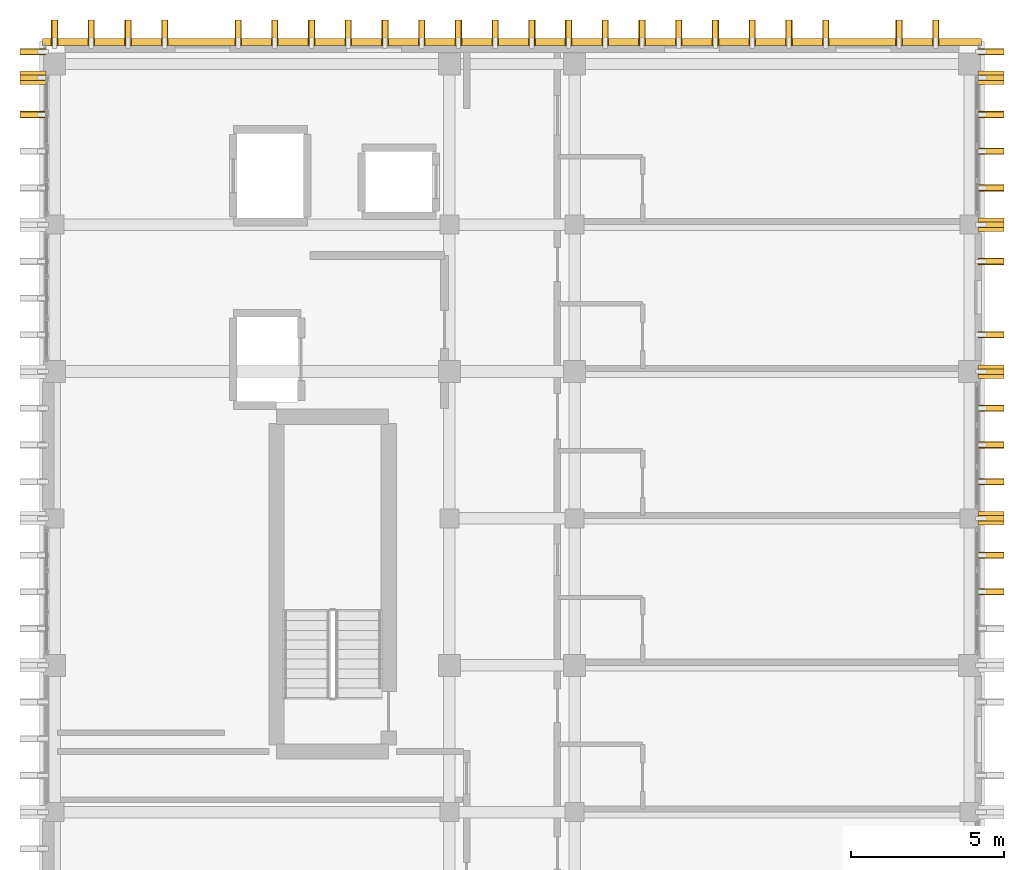
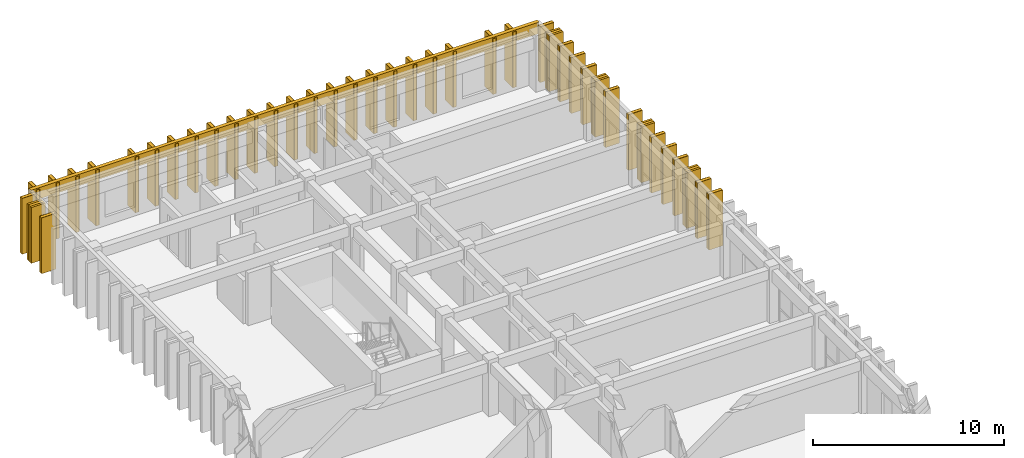
# One storey, part 59 of 59: 42 coverings, 41 shading devices.
"""IFC4 building model written with IfcOpenShell, lengths in metres."""

from ifc_helpers import new_model, si_unit, direction, frame, origin, origin_2d, place, context, subcontext, project, spatial, rectangle, extrude, material, layer, layer_set, type_object, element, save


model = new_model("IFC4")

# Units and contexts
model_context = context("Model", 3, precision=1e-05, world=origin(), true_north=direction((0.0, 1.0)))
body_context = subcontext(model_context, "Body", "Model", "MODEL_VIEW")
ifc_project = project(units=[si_unit("LENGTHUNIT", "METRE"), si_unit("AREAUNIT", "SQUARE_METRE"), si_unit("VOLUMEUNIT", "CUBIC_METRE"), si_unit("PLANEANGLEUNIT", "RADIAN"), si_unit("MASSUNIT", "GRAM", prefix="KILO")], contexts=[model_context])

# Site, building, storey
site_placement = place(None, origin())
site = spatial("IfcSite", under=ifc_project, at=site_placement, CompositionType="ELEMENT")
building_placement = place(site_placement, origin())
building = spatial("IfcBuilding", under=site, at=building_placement, Name="Nakhvara Creek Congress Hotel", CompositionType="ELEMENT")
storey_placement = place(building_placement, frame((0.0, 0.0, 31.800048828125)))
storey = spatial("IfcBuildingStorey", under=building, at=storey_placement, Name="L07", CompositionType="ELEMENT", Elevation=31.800048828125)

# Coverings
ifc_material_1 = material(Name="Honed pale Omani limestone architectural cladding", Category="masonry")
ifc_layer_1 = layer(ifc_material_1, 0.219970703125)
ifc_layer_set_1 = layer_set([ifc_layer_1], Name="Honed pale Omani limestone architectural cladding")
covering_type_1 = type_object("IfcCoveringType", Name="COV-FIN-850", PredefinedType="CLADDING", material=ifc_layer_set_1)
for number, where, z_axis, x_axis, name in (
    (1, (180.054931640625, 108.0, 0.0), (0.0, 0.0, 1.0), (0.0, 1.0, 0.0), "Pale Limestone Fin Cladding CF01-1899"),
    (2, (180.054931640625, 109.199951171875, 0.0), (0.0, 0.0, 1.0), (0.0, 1.0, 0.0), "Pale Limestone Fin Cladding CF01-1901"),
):
    element("IfcCovering", number, at=place(storey_placement, frame(where, z_axis=z_axis, x_axis=x_axis)), inside=storey, type_object=covering_type_1, Name=name, PredefinedType="CLADDING", context=body_context, shape_type="SweptSolid", body=[
        extrude(rectangle(XDim=0.219970703125, YDim=0.85009765625, at=origin_2d()), origin(), (0.0, 0.0, 1.0), 3.56005859375),
    ])
covering_1_placement = place(storey_placement, frame((180.054931640625, 110.39990234375, 0.0), z_axis=(0.0, 0.0, 1.0), x_axis=(0.0, 1.0, 0.0)))
element("IfcCovering", 3, at=covering_1_placement, inside=storey, type_object=covering_type_1, Name="Pale Limestone Fin Cladding CF01-1903", PredefinedType="CLADDING", context=body_context, shape_type="SweptSolid", body=[
    extrude(rectangle(XDim=0.43994140625, YDim=0.85009765625, at=origin_2d()), origin(), (0.0, 0.0, 1.0), 3.56005859375),
])
for number, where, z_axis, x_axis, name in (
    (4, (180.054931640625, 111.60009765625, 0.0), (0.0, 0.0, 1.0), (0.0, 1.0, 0.0), "Pale Limestone Fin Cladding CF01-1905"),
    (5, (180.054931640625, 112.800048828125, 0.0), (0.0, 0.0, 1.0), (0.0, 1.0, 0.0), "Pale Limestone Fin Cladding CF01-1907"),
    (6, (180.054931640625, 114.0, 0.0), (0.0, 0.0, 1.0), (0.0, 1.0, 0.0), "Pale Limestone Fin Cladding CF01-1909"),
):
    element("IfcCovering", number, at=place(storey_placement, frame(where, z_axis=z_axis, x_axis=x_axis)), inside=storey, type_object=covering_type_1, Name=name, PredefinedType="CLADDING", context=body_context, shape_type="SweptSolid", body=[
        extrude(rectangle(XDim=0.219970703125, YDim=0.85009765625, at=origin_2d()), origin(), (0.0, 0.0, 1.0), 3.56005859375),
    ])
covering_2_placement = place(storey_placement, frame((180.054931640625, 115.199951171875, 0.0), z_axis=(0.0, 0.0, 1.0), x_axis=(0.0, 1.0, 0.0)))
element("IfcCovering", 7, at=covering_2_placement, inside=storey, type_object=covering_type_1, Name="Pale Limestone Fin Cladding CF01-1911", PredefinedType="CLADDING", context=body_context, shape_type="SweptSolid", body=[
    extrude(rectangle(XDim=0.43994140625, YDim=0.85009765625, at=origin_2d()), origin(), (0.0, 0.0, 1.0), 3.56005859375),
])
for number, where, z_axis, x_axis, name in (
    (8, (180.054931640625, 116.39990234375, 0.0), (0.0, 0.0, 1.0), (0.0, 1.0, 0.0), "Pale Limestone Fin Cladding CF01-1913"),
    (9, (180.054931640625, 118.800048828125, 0.0), (0.0, 0.0, 1.0), (0.0, 1.0, 0.0), "Pale Limestone Fin Cladding CF01-1916"),
):
    element("IfcCovering", number, at=place(storey_placement, frame(where, z_axis=z_axis, x_axis=x_axis)), inside=storey, type_object=covering_type_1, Name=name, PredefinedType="CLADDING", context=body_context, shape_type="SweptSolid", body=[
        extrude(rectangle(XDim=0.219970703125, YDim=0.85009765625, at=origin_2d()), origin(), (0.0, 0.0, 1.0), 3.56005859375),
    ])
covering_3_placement = place(storey_placement, frame((180.054931640625, 120.0, 0.0), z_axis=(0.0, 0.0, 1.0), x_axis=(0.0, 1.0, 0.0)))
element("IfcCovering", 10, at=covering_3_placement, inside=storey, type_object=covering_type_1, Name="Pale Limestone Fin Cladding CF01-1918", PredefinedType="CLADDING", context=body_context, shape_type="SweptSolid", body=[
    extrude(rectangle(XDim=0.43994140625, YDim=0.85009765625, at=origin_2d()), origin(), (0.0, 0.0, 1.0), 3.56005859375),
])
for number, where, z_axis, x_axis, name in (
    (11, (180.054931640625, 121.199951171875, 0.0), (0.0, 0.0, 1.0), (0.0, 1.0, 0.0), "Pale Limestone Fin Cladding CF01-1920"),
    (12, (180.054931640625, 122.39990234375, 0.0), (0.0, 0.0, 1.0), (0.0, 1.0, 0.0), "Pale Limestone Fin Cladding CF01-1922"),
    (13, (180.054931640625, 123.60009765625, 0.0), (0.0, 0.0, 1.0), (0.0, 1.0, 0.0), "Pale Limestone Fin Cladding CF01-1924"),
    (14, (148.7451171875, 123.60009765625, 0.0), (0.0, 0.0, 1.0), (0.0, 1.0, 0.0), "Pale Limestone Fin Cladding CF01-1925"),
):
    element("IfcCovering", number, at=place(storey_placement, frame(where, z_axis=z_axis, x_axis=x_axis)), inside=storey, type_object=covering_type_1, Name=name, PredefinedType="CLADDING", context=body_context, shape_type="SweptSolid", body=[
        extrude(rectangle(XDim=0.219970703125, YDim=0.85009765625, at=origin_2d()), origin(), (0.0, 0.0, 1.0), 3.56005859375),
    ])
for number, where, z_axis, x_axis, name in (
    (15, (180.054931640625, 124.800048828125, 0.0), (0.0, 0.0, 1.0), (0.0, 1.0, 0.0), "Pale Limestone Fin Cladding CF01-1926"),
    (16, (148.7451171875, 124.800048828125, 0.0), (0.0, 0.0, 1.0), (0.0, 1.0, 0.0), "Pale Limestone Fin Cladding CF01-1927"),
):
    element("IfcCovering", number, at=place(storey_placement, frame(where, z_axis=z_axis, x_axis=x_axis)), inside=storey, type_object=covering_type_1, Name=name, PredefinedType="CLADDING", context=body_context, shape_type="SweptSolid", body=[
        extrude(rectangle(XDim=0.43994140625, YDim=0.85009765625, at=origin_2d()), origin(), (0.0, 0.0, 1.0), 3.56005859375),
    ])
for number, where, z_axis, x_axis, name in (
    (17, (180.054931640625, 125.64990234375, 0.0), (0.0, 0.0, 1.0), (0.0, 1.0, 0.0), "Pale Limestone Fin Cladding CF01-1928"),
    (18, (148.7451171875, 125.64990234375, 0.0), (0.0, 0.0, 1.0), (0.0, 1.0, 0.0), "Pale Limestone Fin Cladding CF01-1929"),
    (19, (149.449951171875, 126.264892578125, 0.0), (0.0, 0.0, 1.0), (1.0, 0.0, 0.0), "Pale Limestone Fin Cladding CF01-1930"),
    (20, (150.64990234375, 126.264892578125, 0.0), (0.0, 0.0, 1.0), (1.0, 0.0, 0.0), "Pale Limestone Fin Cladding CF01-1932"),
    (21, (151.85009765625, 126.264892578125, 0.0), (0.0, 0.0, 1.0), (1.0, 0.0, 0.0), "Pale Limestone Fin Cladding CF01-1934"),
    (22, (153.050048828125, 126.264892578125, 0.0), (0.0, 0.0, 1.0), (1.0, 0.0, 0.0), "Pale Limestone Fin Cladding CF01-1936"),
    (23, (155.449951171875, 126.264892578125, 0.0), (0.0, 0.0, 1.0), (1.0, 0.0, 0.0), "Pale Limestone Fin Cladding CF01-1939"),
    (24, (156.64990234375, 126.264892578125, 0.0), (0.0, 0.0, 1.0), (1.0, 0.0, 0.0), "Pale Limestone Fin Cladding CF01-1941"),
    (25, (157.85009765625, 126.264892578125, 0.0), (0.0, 0.0, 1.0), (1.0, 0.0, 0.0), "Pale Limestone Fin Cladding CF01-1943"),
    (26, (159.050048828125, 126.264892578125, 0.0), (0.0, 0.0, 1.0), (1.0, 0.0, 0.0), "Pale Limestone Fin Cladding CF01-1945"),
    (27, (160.25, 126.264892578125, 0.0), (0.0, 0.0, 1.0), (1.0, 0.0, 0.0), "Pale Limestone Fin Cladding CF01-1947"),
    (28, (161.449951171875, 126.264892578125, 0.0), (0.0, 0.0, 1.0), (1.0, 0.0, 0.0), "Pale Limestone Fin Cladding CF01-1949"),
    (29, (162.64990234375, 126.264892578125, 0.0), (0.0, 0.0, 1.0), (1.0, 0.0, 0.0), "Pale Limestone Fin Cladding CF01-1951"),
    (30, (163.85009765625, 126.264892578125, 0.0), (0.0, 0.0, 1.0), (1.0, 0.0, 0.0), "Pale Limestone Fin Cladding CF01-1953"),
    (31, (165.050048828125, 126.264892578125, 0.0), (0.0, 0.0, 1.0), (1.0, 0.0, 0.0), "Pale Limestone Fin Cladding CF01-1954"),
    (32, (166.25, 126.264892578125, 0.0), (0.0, 0.0, 1.0), (1.0, 0.0, 0.0), "Pale Limestone Fin Cladding CF01-1955"),
    (33, (167.449951171875, 126.264892578125, 0.0), (0.0, 0.0, 1.0), (1.0, 0.0, 0.0), "Pale Limestone Fin Cladding CF01-1957"),
    (34, (168.64990234375, 126.264892578125, 0.0), (0.0, 0.0, 1.0), (1.0, 0.0, 0.0), "Pale Limestone Fin Cladding CF01-1959"),
    (35, (169.85009765625, 126.264892578125, 0.0), (0.0, 0.0, 1.0), (1.0, 0.0, 0.0), "Pale Limestone Fin Cladding CF01-1960"),
    (36, (171.050048828125, 126.264892578125, 0.0), (0.0, 0.0, 1.0), (1.0, 0.0, 0.0), "Pale Limestone Fin Cladding CF01-1962"),
    (37, (172.25, 126.264892578125, 0.0), (0.0, 0.0, 1.0), (1.0, 0.0, 0.0), "Pale Limestone Fin Cladding CF01-1964"),
    (38, (173.449951171875, 126.264892578125, 0.0), (0.0, 0.0, 1.0), (1.0, 0.0, 0.0), "Pale Limestone Fin Cladding CF01-1966"),
    (39, (174.64990234375, 126.264892578125, 0.0), (0.0, 0.0, 1.0), (1.0, 0.0, 0.0), "Pale Limestone Fin Cladding CF01-1968"),
    (40, (177.050048828125, 126.264892578125, 0.0), (0.0, 0.0, 1.0), (1.0, 0.0, 0.0), "Pale Limestone Fin Cladding CF01-1971"),
    (41, (178.25, 126.264892578125, 0.0), (0.0, 0.0, 1.0), (1.0, 0.0, 0.0), "Pale Limestone Fin Cladding CF01-1973"),
):
    element("IfcCovering", number, at=place(storey_placement, frame(where, z_axis=z_axis, x_axis=x_axis)), inside=storey, type_object=covering_type_1, Name=name, PredefinedType="CLADDING", context=body_context, shape_type="SweptSolid", body=[
        extrude(rectangle(XDim=0.219970703125, YDim=0.85009765625, at=origin_2d()), origin(), (0.0, 0.0, 1.0), 3.56005859375),
    ])
ifc_layer_2 = layer(ifc_material_1, 0.179931640625)
ifc_layer_set_2 = layer_set([ifc_layer_2], Name="Honed pale Omani limestone architectural cladding")
covering_type_2 = type_object("IfcCoveringType", Name="COV-SPN-180", PredefinedType="CLADDING", material=ifc_layer_set_2)
covering_4_placement = place(storey_placement, frame((164.39990234375, 125.969970703125, 2.909912109375), z_axis=(0.0, 0.0, 1.0), x_axis=(1.0, 0.0, 0.0)))
element("IfcCovering", 42, at=covering_4_placement, inside=storey, type_object=covering_type_2, Name="Pale Limestone Spandrel Band CF02-0071", PredefinedType="CLADDING", context=body_context, shape_type="SweptSolid", body=[
    extrude(rectangle(XDim=30.699951171875, YDim=0.219970703125, at=origin_2d()), origin(), (0.0, 0.0, 1.0), 0.72998046875),
])

# Shading devices
ifc_material_2 = material(Name="Honed pale Omani limestone cladding on stainless steel spine", Category="masonry")
shading_device_type = type_object("IfcShadingDeviceType", Name="SHD-FIN-850X3600", PredefinedType="USERDEFINED", material=ifc_material_2)
for number, where, z_axis, x_axis, name in (
    (43, (180.054931640625, 108.0, 0.0), (0.0, 0.0, 1.0), (0.0, 1.0, 0.0), "Limestone Solar Fin FN01-1764"),
    (44, (180.054931640625, 109.199951171875, 0.0), (0.0, 0.0, 1.0), (0.0, 1.0, 0.0), "Limestone Solar Fin FN01-1766"),
    (45, (180.054931640625, 110.39990234375, 0.0), (0.0, 0.0, 1.0), (0.0, 1.0, 0.0), "Limestone Solar Fin FN01-1768"),
    (46, (180.054931640625, 111.60009765625, 0.0), (0.0, 0.0, 1.0), (0.0, 1.0, 0.0), "Limestone Solar Fin FN01-1770"),
    (47, (180.054931640625, 112.800048828125, 0.0), (0.0, 0.0, 1.0), (0.0, 1.0, 0.0), "Limestone Solar Fin FN01-1772"),
    (48, (180.054931640625, 114.0, 0.0), (0.0, 0.0, 1.0), (0.0, 1.0, 0.0), "Limestone Solar Fin FN01-1774"),
    (49, (180.054931640625, 115.199951171875, 0.0), (0.0, 0.0, 1.0), (0.0, 1.0, 0.0), "Limestone Solar Fin FN01-1776"),
    (50, (180.054931640625, 116.39990234375, 0.0), (0.0, 0.0, 1.0), (0.0, 1.0, 0.0), "Limestone Solar Fin FN01-1778"),
    (51, (180.054931640625, 118.800048828125, 0.0), (0.0, 0.0, 1.0), (0.0, 1.0, 0.0), "Limestone Solar Fin FN01-1781"),
    (52, (180.054931640625, 120.0, 0.0), (0.0, 0.0, 1.0), (0.0, 1.0, 0.0), "Limestone Solar Fin FN01-1783"),
    (53, (180.054931640625, 121.199951171875, 0.0), (0.0, 0.0, 1.0), (0.0, 1.0, 0.0), "Limestone Solar Fin FN01-1785"),
    (54, (180.054931640625, 122.39990234375, 0.0), (0.0, 0.0, 1.0), (0.0, 1.0, 0.0), "Limestone Solar Fin FN01-1787"),
    (55, (180.054931640625, 123.60009765625, 0.0), (0.0, 0.0, 1.0), (0.0, 1.0, 0.0), "Limestone Solar Fin FN01-1789"),
    (56, (148.7451171875, 123.60009765625, 0.0), (0.0, 0.0, 1.0), (0.0, 1.0, 0.0), "Limestone Solar Fin FN01-1790"),
    (57, (180.054931640625, 124.800048828125, 0.0), (0.0, 0.0, 1.0), (0.0, 1.0, 0.0), "Limestone Solar Fin FN01-1791"),
    (58, (148.7451171875, 124.800048828125, 0.0), (0.0, 0.0, 1.0), (0.0, 1.0, 0.0), "Limestone Solar Fin FN01-1792"),
    (59, (180.054931640625, 125.64990234375, 0.0), (0.0, 0.0, 1.0), (0.0, 1.0, 0.0), "Limestone Solar Fin FN01-1793"),
    (60, (148.7451171875, 125.64990234375, 0.0), (0.0, 0.0, 1.0), (0.0, 1.0, 0.0), "Limestone Solar Fin FN01-1794"),
    (61, (149.449951171875, 126.264892578125, 0.0), (0.0, 0.0, 1.0), (1.0, 0.0, 0.0), "Limestone Solar Fin FN01-1795"),
    (62, (150.64990234375, 126.264892578125, 0.0), (0.0, 0.0, 1.0), (1.0, 0.0, 0.0), "Limestone Solar Fin FN01-1797"),
    (63, (151.85009765625, 126.264892578125, 0.0), (0.0, 0.0, 1.0), (1.0, 0.0, 0.0), "Limestone Solar Fin FN01-1799"),
    (64, (153.050048828125, 126.264892578125, 0.0), (0.0, 0.0, 1.0), (1.0, 0.0, 0.0), "Limestone Solar Fin FN01-1801"),
    (65, (155.449951171875, 126.264892578125, 0.0), (0.0, 0.0, 1.0), (1.0, 0.0, 0.0), "Limestone Solar Fin FN01-1804"),
    (66, (156.64990234375, 126.264892578125, 0.0), (0.0, 0.0, 1.0), (1.0, 0.0, 0.0), "Limestone Solar Fin FN01-1806"),
    (67, (157.85009765625, 126.264892578125, 0.0), (0.0, 0.0, 1.0), (1.0, 0.0, 0.0), "Limestone Solar Fin FN01-1808"),
    (68, (159.050048828125, 126.264892578125, 0.0), (0.0, 0.0, 1.0), (1.0, 0.0, 0.0), "Limestone Solar Fin FN01-1810"),
    (69, (160.25, 126.264892578125, 0.0), (0.0, 0.0, 1.0), (1.0, 0.0, 0.0), "Limestone Solar Fin FN01-1812"),
    (70, (161.449951171875, 126.264892578125, 0.0), (0.0, 0.0, 1.0), (1.0, 0.0, 0.0), "Limestone Solar Fin FN01-1814"),
    (71, (162.64990234375, 126.264892578125, 0.0), (0.0, 0.0, 1.0), (1.0, 0.0, 0.0), "Limestone Solar Fin FN01-1816"),
    (72, (163.85009765625, 126.264892578125, 0.0), (0.0, 0.0, 1.0), (1.0, 0.0, 0.0), "Limestone Solar Fin FN01-1818"),
    (73, (165.050048828125, 126.264892578125, 0.0), (0.0, 0.0, 1.0), (1.0, 0.0, 0.0), "Limestone Solar Fin FN01-1819"),
    (74, (166.25, 126.264892578125, 0.0), (0.0, 0.0, 1.0), (1.0, 0.0, 0.0), "Limestone Solar Fin FN01-1820"),
    (75, (167.449951171875, 126.264892578125, 0.0), (0.0, 0.0, 1.0), (1.0, 0.0, 0.0), "Limestone Solar Fin FN01-1822"),
    (76, (168.64990234375, 126.264892578125, 0.0), (0.0, 0.0, 1.0), (1.0, 0.0, 0.0), "Limestone Solar Fin FN01-1824"),
    (77, (169.85009765625, 126.264892578125, 0.0), (0.0, 0.0, 1.0), (1.0, 0.0, 0.0), "Limestone Solar Fin FN01-1825"),
    (78, (171.050048828125, 126.264892578125, 0.0), (0.0, 0.0, 1.0), (1.0, 0.0, 0.0), "Limestone Solar Fin FN01-1827"),
    (79, (172.25, 126.264892578125, 0.0), (0.0, 0.0, 1.0), (1.0, 0.0, 0.0), "Limestone Solar Fin FN01-1829"),
    (80, (173.449951171875, 126.264892578125, 0.0), (0.0, 0.0, 1.0), (1.0, 0.0, 0.0), "Limestone Solar Fin FN01-1831"),
    (81, (174.64990234375, 126.264892578125, 0.0), (0.0, 0.0, 1.0), (1.0, 0.0, 0.0), "Limestone Solar Fin FN01-1833"),
    (82, (177.050048828125, 126.264892578125, 0.0), (0.0, 0.0, 1.0), (1.0, 0.0, 0.0), "Limestone Solar Fin FN01-1836"),
    (83, (178.25, 126.264892578125, 0.0), (0.0, 0.0, 1.0), (1.0, 0.0, 0.0), "Limestone Solar Fin FN01-1838"),
):
    element("IfcShadingDevice", number, at=place(storey_placement, frame(where, z_axis=z_axis, x_axis=x_axis)), inside=storey, type_object=shading_device_type, Name=name, ObjectType="FIN", PredefinedType="USERDEFINED", context=body_context, shape_type="SweptSolid", body=[
        extrude(rectangle(XDim=0.179931640625, YDim=0.85009765625, at=origin_2d()), origin(), (0.0, 0.0, 1.0), 3.56005859375),
    ])

save(model, "model.ifc")
